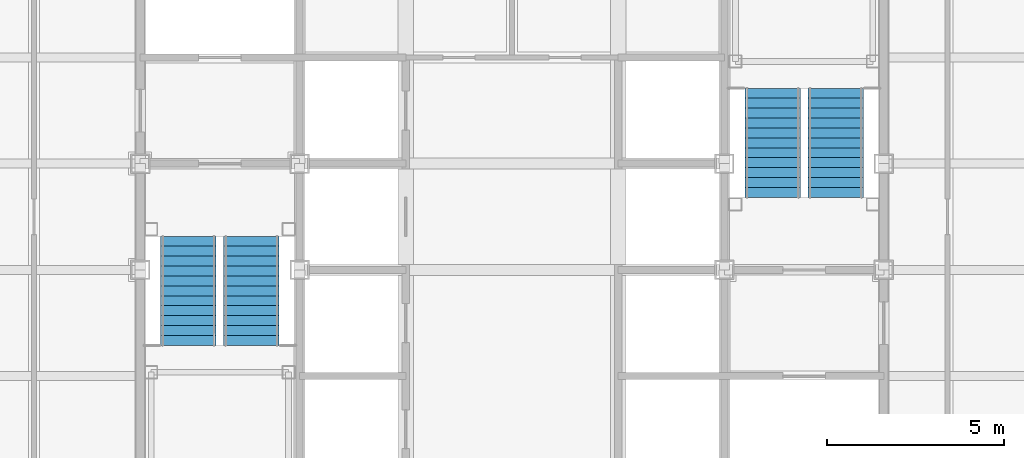
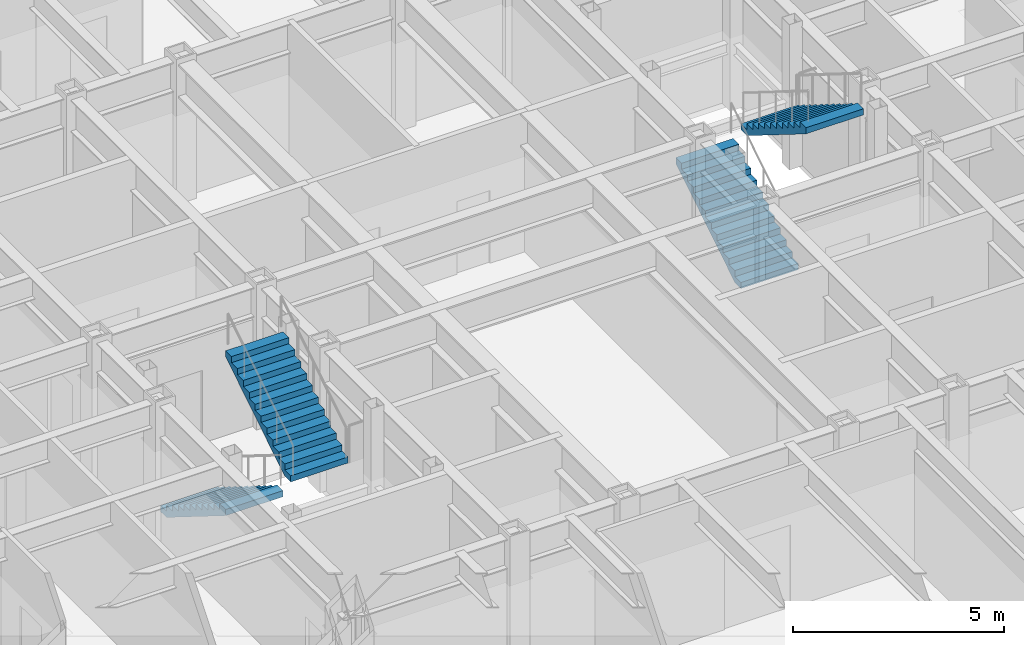
# One storey, part 14 of 16: 4 stair flights, 2 elements without a shape of their own.
"""IFC4 building model written with IfcOpenShell, lengths in metres."""

from ifc_helpers import new_model, si_unit, direction, frame, origin, place, context, subcontext, project, spatial, faceted_brep, material, type_object, element, aggregate, save


model = new_model("IFC4")

# Units and contexts
model_context = context("Model", 3, precision=1e-05, world=origin(), true_north=direction((0.0, 1.0)))
body_context = subcontext(model_context, "Body", "Model", "MODEL_VIEW")
ifc_project = project(units=[si_unit("LENGTHUNIT", "METRE"), si_unit("AREAUNIT", "SQUARE_METRE"), si_unit("VOLUMEUNIT", "CUBIC_METRE"), si_unit("PLANEANGLEUNIT", "RADIAN"), si_unit("MASSUNIT", "GRAM", prefix="KILO")], contexts=[model_context])

# Site, building, storey
site_placement = place(None, origin())
site = spatial("IfcSite", under=ifc_project, at=site_placement, CompositionType="ELEMENT")
building_placement = place(site_placement, origin())
building = spatial("IfcBuilding", under=site, at=building_placement, Name="Chuquiago Exchange Tower", CompositionType="ELEMENT")
storey_placement = place(building_placement, frame((0.0, 0.0, 230.699951171875)))
storey = spatial("IfcBuildingStorey", under=building, at=storey_placement, Name="L51", CompositionType="ELEMENT", Elevation=230.699951171875)

# Stair, stair flights
ifc_material_1 = material(Name="Concrete C30/37, precast", Category="concrete")
stair_type_1 = type_object("IfcStairType", Name="ST1 half-turn stair 4200", PredefinedType="HALF_TURN_STAIR", material=ifc_material_1)
stair_1_placement = place(storey_placement, origin())
stair_1 = element("IfcStair", 1, at=stair_1_placement, inside=storey, type_object=stair_type_1, Name="Stair ST1 L51", PredefinedType="HALF_TURN_STAIR")
ifc_material_2 = material(Name="Concrete C30/37, precast", Category="concrete")
stair_flight_type = type_object("IfcStairFlightType", Name="ST-F flight 1570 for 4200 storey", PredefinedType="STRAIGHT", material=ifc_material_2)
stair_flight_1_placement = place(storey_placement, frame((13.360107421875, 21.949951171875, 0.0), z_axis=(0.0, 0.0, 1.0), x_axis=(0.0, -1.0, 0.0)))
stair_flight_1 = element("IfcStairFlight", 2, at=stair_flight_1_placement, type_object=stair_flight_type, Name="ST1 flight 1", NumberOfRisers=12, NumberOfTreads=11, PredefinedType="STRAIGHT", RiserHeight=0.175, TreadLength=0.28, context=body_context, shape_type="Brep", body=[
    faceted_brep([(0.0, 0.78515625, 0.0), (0.0, 0.78515625, 0.175048828125), (0.280029296875, 0.78515625, 0.175048828125), (0.280029296875, 0.78515625, 0.35009765625), (0.56005859375, 0.78515625, 0.35009765625), (0.56005859375, 0.78515625, 0.52490234375), (0.840087890625, 0.78515625, 0.52490234375), (0.840087890625, 0.78515625, 0.699951171875), (1.1201171875, 0.78515625, 0.699951171875), (1.1201171875, 0.78515625, 0.875), (1.39990234375, 0.78515625, 0.875), (1.39990234375, 0.78515625, 1.050048828125), (1.679931640625, 0.78515625, 1.050048828125), (1.679931640625, 0.78515625, 1.22509765625), (1.9599609375, 0.78515625, 1.22509765625), (1.9599609375, 0.78515625, 1.39990234375), (2.239990234375, 0.78515625, 1.39990234375), (2.239990234375, 0.78515625, 1.574951171875), (2.52001953125, 0.78515625, 1.574951171875), (2.52001953125, 0.78515625, 1.75), (2.800048828125, 0.78515625, 1.75), (2.800048828125, 0.78515625, 1.925048828125), (3.080078125, 0.78515625, 1.925048828125), (3.080078125, 0.78515625, 1.748291015625), (0.28271484375, 0.78515625, 0.0), (0.28271484375, -0.78515625, 0.0), (3.080078125, -0.78515625, 1.748291015625), (3.080078125, -0.78515625, 1.925048828125), (2.800048828125, -0.78515625, 1.925048828125), (2.800048828125, -0.78515625, 1.75), (2.52001953125, -0.78515625, 1.75), (2.52001953125, -0.78515625, 1.574951171875), (2.239990234375, -0.78515625, 1.574951171875), (2.239990234375, -0.78515625, 1.39990234375), (1.9599609375, -0.78515625, 1.39990234375), (1.9599609375, -0.78515625, 1.22509765625), (1.679931640625, -0.78515625, 1.22509765625), (1.679931640625, -0.78515625, 1.050048828125), (1.39990234375, -0.78515625, 1.050048828125), (1.39990234375, -0.78515625, 0.875), (1.1201171875, -0.78515625, 0.875), (1.1201171875, -0.78515625, 0.699951171875), (0.840087890625, -0.78515625, 0.699951171875), (0.840087890625, -0.78515625, 0.52490234375), (0.56005859375, -0.78515625, 0.52490234375), (0.56005859375, -0.78515625, 0.35009765625), (0.280029296875, -0.78515625, 0.35009765625), (0.280029296875, -0.78515625, 0.175048828125), (0.0, -0.78515625, 0.175048828125), (0.0, -0.78515625, 0.0), (0.0, 0.392578125, 0.0), (0.0, 0.392578125, 0.175048828125), (0.0, 0.0, 0.0), (0.0, 0.0, 0.175048828125), (0.0, -0.392578125, 0.0), (0.0, -0.392578125, 0.175048828125), (0.280029296875, 0.392578125, 0.175048828125), (0.280029296875, 0.0, 0.175048828125), (0.280029296875, -0.392578125, 0.175048828125), (0.280029296875, 0.392578125, 0.35009765625), (0.280029296875, 0.0, 0.35009765625), (0.280029296875, -0.392578125, 0.35009765625), (0.56005859375, 0.392578125, 0.35009765625), (0.56005859375, 0.0, 0.35009765625), (0.56005859375, -0.392578125, 0.35009765625), (0.56005859375, 0.392578125, 0.52490234375), (0.56005859375, 0.0, 0.52490234375), (0.56005859375, -0.392578125, 0.52490234375), (0.840087890625, 0.392578125, 0.52490234375), (0.840087890625, 0.0, 0.52490234375), (0.840087890625, -0.392578125, 0.52490234375), (0.840087890625, 0.392578125, 0.699951171875), (0.840087890625, 0.0, 0.699951171875), (0.840087890625, -0.392578125, 0.699951171875), (1.1201171875, 0.392578125, 0.699951171875), (1.1201171875, 0.0, 0.699951171875), (1.1201171875, -0.392578125, 0.699951171875), (1.1201171875, 0.392578125, 0.875), (1.1201171875, 0.0, 0.875), (1.1201171875, -0.392578125, 0.875), (1.39990234375, 0.392578125, 0.875), (1.39990234375, 0.0, 0.875), (1.39990234375, -0.392578125, 0.875), (1.39990234375, 0.392578125, 1.050048828125), (1.39990234375, 0.0, 1.050048828125), (1.39990234375, -0.392578125, 1.050048828125), (1.679931640625, 0.392578125, 1.050048828125), (1.679931640625, 0.0, 1.050048828125), (1.679931640625, -0.392578125, 1.050048828125), (1.679931640625, 0.392578125, 1.22509765625), (1.679931640625, 0.0, 1.22509765625), (1.679931640625, -0.392578125, 1.22509765625), (1.9599609375, 0.392578125, 1.22509765625), (1.9599609375, 0.0, 1.22509765625), (1.9599609375, -0.392578125, 1.22509765625), (1.9599609375, 0.392578125, 1.39990234375), (1.9599609375, 0.0, 1.39990234375), (1.9599609375, -0.392578125, 1.39990234375), (2.239990234375, 0.392578125, 1.39990234375), (2.239990234375, 0.0, 1.39990234375), (2.239990234375, -0.392578125, 1.39990234375), (2.239990234375, 0.392578125, 1.574951171875), (2.239990234375, 0.0, 1.574951171875), (2.239990234375, -0.392578125, 1.574951171875), (2.52001953125, 0.392578125, 1.574951171875), (2.52001953125, 0.0, 1.574951171875), (2.52001953125, -0.392578125, 1.574951171875), (2.52001953125, 0.392578125, 1.75), (2.52001953125, 0.0, 1.75), (2.52001953125, -0.392578125, 1.75), (2.800048828125, 0.392578125, 1.75), (2.800048828125, 0.0, 1.75), (2.800048828125, -0.392578125, 1.75), (2.800048828125, 0.392578125, 1.925048828125), (2.800048828125, 0.0, 1.925048828125), (2.800048828125, -0.392578125, 1.925048828125), (3.080078125, 0.392578125, 1.925048828125), (3.080078125, 0.0, 1.925048828125), (3.080078125, -0.392578125, 1.925048828125), (3.080078125, 0.392578125, 1.748291015625), (3.080078125, 0.0, 1.748291015625), (3.080078125, -0.392578125, 1.748291015625), (0.28271484375, 0.392578125, 0.0), (0.28271484375, 0.0, 0.0), (0.28271484375, -0.392578125, 0.0)], [[[0, 1, 2, 3, 4, 5, 6, 7, 8, 9, 10, 11, 12, 13, 14, 15, 16, 17, 18, 19, 20, 21, 22, 23, 24]], [[25, 26, 27, 28, 29, 30, 31, 32, 33, 34, 35, 36, 37, 38, 39, 40, 41, 42, 43, 44, 45, 46, 47, 48, 49]], [[1, 0, 50, 51]], [[51, 50, 52, 53]], [[53, 52, 54, 55]], [[55, 54, 49, 48]], [[2, 1, 51, 56]], [[56, 51, 53, 57]], [[57, 53, 55, 58]], [[58, 55, 48, 47]], [[3, 2, 56, 59]], [[59, 56, 57, 60]], [[60, 57, 58, 61]], [[61, 58, 47, 46]], [[4, 3, 59, 62]], [[62, 59, 60, 63]], [[63, 60, 61, 64]], [[64, 61, 46, 45]], [[5, 4, 62, 65]], [[65, 62, 63, 66]], [[66, 63, 64, 67]], [[67, 64, 45, 44]], [[6, 5, 65, 68]], [[68, 65, 66, 69]], [[69, 66, 67, 70]], [[70, 67, 44, 43]], [[7, 6, 68, 71]], [[71, 68, 69, 72]], [[72, 69, 70, 73]], [[73, 70, 43, 42]], [[8, 7, 71, 74]], [[74, 71, 72, 75]], [[75, 72, 73, 76]], [[76, 73, 42, 41]], [[9, 8, 74, 77]], [[77, 74, 75, 78]], [[78, 75, 76, 79]], [[79, 76, 41, 40]], [[10, 9, 77, 80]], [[80, 77, 78, 81]], [[81, 78, 79, 82]], [[82, 79, 40, 39]], [[11, 10, 80, 83]], [[83, 80, 81, 84]], [[84, 81, 82, 85]], [[85, 82, 39, 38]], [[12, 11, 83, 86]], [[86, 83, 84, 87]], [[87, 84, 85, 88]], [[88, 85, 38, 37]], [[13, 12, 86, 89]], [[89, 86, 87, 90]], [[90, 87, 88, 91]], [[91, 88, 37, 36]], [[14, 13, 89, 92]], [[92, 89, 90, 93]], [[93, 90, 91, 94]], [[94, 91, 36, 35]], [[15, 14, 92, 95]], [[95, 92, 93, 96]], [[96, 93, 94, 97]], [[97, 94, 35, 34]], [[16, 15, 95, 98]], [[98, 95, 96, 99]], [[99, 96, 97, 100]], [[100, 97, 34, 33]], [[17, 16, 98, 101]], [[101, 98, 99, 102]], [[102, 99, 100, 103]], [[103, 100, 33, 32]], [[18, 17, 101, 104]], [[104, 101, 102, 105]], [[105, 102, 103, 106]], [[106, 103, 32, 31]], [[19, 18, 104, 107]], [[107, 104, 105, 108]], [[108, 105, 106, 109]], [[109, 106, 31, 30]], [[20, 19, 107, 110]], [[110, 107, 108, 111]], [[111, 108, 109, 112]], [[112, 109, 30, 29]], [[21, 20, 110, 113]], [[113, 110, 111, 114]], [[114, 111, 112, 115]], [[115, 112, 29, 28]], [[22, 21, 113, 116]], [[116, 113, 114, 117]], [[117, 114, 115, 118]], [[118, 115, 28, 27]], [[23, 22, 116, 119]], [[119, 116, 117, 120]], [[120, 117, 118, 121]], [[121, 118, 27, 26]], [[24, 23, 119, 122]], [[122, 119, 120, 123]], [[123, 120, 121, 124]], [[124, 121, 26, 25]], [[0, 24, 122, 50]], [[50, 122, 123, 52]], [[52, 123, 124, 54]], [[54, 124, 25, 49]]]),
])
stair_flight_2_placement = place(storey_placement, frame((15.139892578125, 18.8701171875, 2.10009765625), z_axis=(0.0, 0.0, 1.0), x_axis=(0.0, 1.0, 0.0)))
stair_flight_2 = element("IfcStairFlight", 3, at=stair_flight_2_placement, type_object=stair_flight_type, Name="ST1 flight 2", NumberOfRisers=12, NumberOfTreads=11, PredefinedType="STRAIGHT", RiserHeight=0.175, TreadLength=0.28, context=body_context, shape_type="Brep", body=[
    faceted_brep([(0.0, 0.78515625, 0.0), (0.0, 0.78515625, 0.175048828125), (0.280029296875, 0.78515625, 0.175048828125), (0.280029296875, 0.78515625, 0.35009765625), (0.56005859375, 0.78515625, 0.35009765625), (0.56005859375, 0.78515625, 0.52490234375), (0.840087890625, 0.78515625, 0.52490234375), (0.840087890625, 0.78515625, 0.699951171875), (1.1201171875, 0.78515625, 0.699951171875), (1.1201171875, 0.78515625, 0.875), (1.39990234375, 0.78515625, 0.875), (1.39990234375, 0.78515625, 1.050048828125), (1.679931640625, 0.78515625, 1.050048828125), (1.679931640625, 0.78515625, 1.22509765625), (1.9599609375, 0.78515625, 1.22509765625), (1.9599609375, 0.78515625, 1.39990234375), (2.239990234375, 0.78515625, 1.39990234375), (2.239990234375, 0.78515625, 1.574951171875), (2.52001953125, 0.78515625, 1.574951171875), (2.52001953125, 0.78515625, 1.75), (2.800048828125, 0.78515625, 1.75), (2.800048828125, 0.78515625, 1.925048828125), (3.080078125, 0.78515625, 1.925048828125), (3.080078125, 0.78515625, 1.748291015625), (0.28271484375, 0.78515625, 0.0), (0.28271484375, -0.78515625, 0.0), (3.080078125, -0.78515625, 1.748291015625), (3.080078125, -0.78515625, 1.925048828125), (2.800048828125, -0.78515625, 1.925048828125), (2.800048828125, -0.78515625, 1.75), (2.52001953125, -0.78515625, 1.75), (2.52001953125, -0.78515625, 1.574951171875), (2.239990234375, -0.78515625, 1.574951171875), (2.239990234375, -0.78515625, 1.39990234375), (1.9599609375, -0.78515625, 1.39990234375), (1.9599609375, -0.78515625, 1.22509765625), (1.679931640625, -0.78515625, 1.22509765625), (1.679931640625, -0.78515625, 1.050048828125), (1.39990234375, -0.78515625, 1.050048828125), (1.39990234375, -0.78515625, 0.875), (1.1201171875, -0.78515625, 0.875), (1.1201171875, -0.78515625, 0.699951171875), (0.840087890625, -0.78515625, 0.699951171875), (0.840087890625, -0.78515625, 0.52490234375), (0.56005859375, -0.78515625, 0.52490234375), (0.56005859375, -0.78515625, 0.35009765625), (0.280029296875, -0.78515625, 0.35009765625), (0.280029296875, -0.78515625, 0.175048828125), (0.0, -0.78515625, 0.175048828125), (0.0, -0.78515625, 0.0), (0.0, 0.392578125, 0.0), (0.0, 0.392578125, 0.175048828125), (0.0, 0.0, 0.0), (0.0, 0.0, 0.175048828125), (0.0, -0.392578125, 0.0), (0.0, -0.392578125, 0.175048828125), (0.280029296875, 0.392578125, 0.175048828125), (0.280029296875, 0.0, 0.175048828125), (0.280029296875, -0.392578125, 0.175048828125), (0.280029296875, 0.392578125, 0.35009765625), (0.280029296875, 0.0, 0.35009765625), (0.280029296875, -0.392578125, 0.35009765625), (0.56005859375, 0.392578125, 0.35009765625), (0.56005859375, 0.0, 0.35009765625), (0.56005859375, -0.392578125, 0.35009765625), (0.56005859375, 0.392578125, 0.52490234375), (0.56005859375, 0.0, 0.52490234375), (0.56005859375, -0.392578125, 0.52490234375), (0.840087890625, 0.392578125, 0.52490234375), (0.840087890625, 0.0, 0.52490234375), (0.840087890625, -0.392578125, 0.52490234375), (0.840087890625, 0.392578125, 0.699951171875), (0.840087890625, 0.0, 0.699951171875), (0.840087890625, -0.392578125, 0.699951171875), (1.1201171875, 0.392578125, 0.699951171875), (1.1201171875, 0.0, 0.699951171875), (1.1201171875, -0.392578125, 0.699951171875), (1.1201171875, 0.392578125, 0.875), (1.1201171875, 0.0, 0.875), (1.1201171875, -0.392578125, 0.875), (1.39990234375, 0.392578125, 0.875), (1.39990234375, 0.0, 0.875), (1.39990234375, -0.392578125, 0.875), (1.39990234375, 0.392578125, 1.050048828125), (1.39990234375, 0.0, 1.050048828125), (1.39990234375, -0.392578125, 1.050048828125), (1.679931640625, 0.392578125, 1.050048828125), (1.679931640625, 0.0, 1.050048828125), (1.679931640625, -0.392578125, 1.050048828125), (1.679931640625, 0.392578125, 1.22509765625), (1.679931640625, 0.0, 1.22509765625), (1.679931640625, -0.392578125, 1.22509765625), (1.9599609375, 0.392578125, 1.22509765625), (1.9599609375, 0.0, 1.22509765625), (1.9599609375, -0.392578125, 1.22509765625), (1.9599609375, 0.392578125, 1.39990234375), (1.9599609375, 0.0, 1.39990234375), (1.9599609375, -0.392578125, 1.39990234375), (2.239990234375, 0.392578125, 1.39990234375), (2.239990234375, 0.0, 1.39990234375), (2.239990234375, -0.392578125, 1.39990234375), (2.239990234375, 0.392578125, 1.574951171875), (2.239990234375, 0.0, 1.574951171875), (2.239990234375, -0.392578125, 1.574951171875), (2.52001953125, 0.392578125, 1.574951171875), (2.52001953125, 0.0, 1.574951171875), (2.52001953125, -0.392578125, 1.574951171875), (2.52001953125, 0.392578125, 1.75), (2.52001953125, 0.0, 1.75), (2.52001953125, -0.392578125, 1.75), (2.800048828125, 0.392578125, 1.75), (2.800048828125, 0.0, 1.75), (2.800048828125, -0.392578125, 1.75), (2.800048828125, 0.392578125, 1.925048828125), (2.800048828125, 0.0, 1.925048828125), (2.800048828125, -0.392578125, 1.925048828125), (3.080078125, 0.392578125, 1.925048828125), (3.080078125, 0.0, 1.925048828125), (3.080078125, -0.392578125, 1.925048828125), (3.080078125, 0.392578125, 1.748291015625), (3.080078125, 0.0, 1.748291015625), (3.080078125, -0.392578125, 1.748291015625), (0.28271484375, 0.392578125, 0.0), (0.28271484375, 0.0, 0.0), (0.28271484375, -0.392578125, 0.0)], [[[0, 1, 2, 3, 4, 5, 6, 7, 8, 9, 10, 11, 12, 13, 14, 15, 16, 17, 18, 19, 20, 21, 22, 23, 24]], [[25, 26, 27, 28, 29, 30, 31, 32, 33, 34, 35, 36, 37, 38, 39, 40, 41, 42, 43, 44, 45, 46, 47, 48, 49]], [[1, 0, 50, 51]], [[51, 50, 52, 53]], [[53, 52, 54, 55]], [[55, 54, 49, 48]], [[2, 1, 51, 56]], [[56, 51, 53, 57]], [[57, 53, 55, 58]], [[58, 55, 48, 47]], [[3, 2, 56, 59]], [[59, 56, 57, 60]], [[60, 57, 58, 61]], [[61, 58, 47, 46]], [[4, 3, 59, 62]], [[62, 59, 60, 63]], [[63, 60, 61, 64]], [[64, 61, 46, 45]], [[5, 4, 62, 65]], [[65, 62, 63, 66]], [[66, 63, 64, 67]], [[67, 64, 45, 44]], [[6, 5, 65, 68]], [[68, 65, 66, 69]], [[69, 66, 67, 70]], [[70, 67, 44, 43]], [[7, 6, 68, 71]], [[71, 68, 69, 72]], [[72, 69, 70, 73]], [[73, 70, 43, 42]], [[8, 7, 71, 74]], [[74, 71, 72, 75]], [[75, 72, 73, 76]], [[76, 73, 42, 41]], [[9, 8, 74, 77]], [[77, 74, 75, 78]], [[78, 75, 76, 79]], [[79, 76, 41, 40]], [[10, 9, 77, 80]], [[80, 77, 78, 81]], [[81, 78, 79, 82]], [[82, 79, 40, 39]], [[11, 10, 80, 83]], [[83, 80, 81, 84]], [[84, 81, 82, 85]], [[85, 82, 39, 38]], [[12, 11, 83, 86]], [[86, 83, 84, 87]], [[87, 84, 85, 88]], [[88, 85, 38, 37]], [[13, 12, 86, 89]], [[89, 86, 87, 90]], [[90, 87, 88, 91]], [[91, 88, 37, 36]], [[14, 13, 89, 92]], [[92, 89, 90, 93]], [[93, 90, 91, 94]], [[94, 91, 36, 35]], [[15, 14, 92, 95]], [[95, 92, 93, 96]], [[96, 93, 94, 97]], [[97, 94, 35, 34]], [[16, 15, 95, 98]], [[98, 95, 96, 99]], [[99, 96, 97, 100]], [[100, 97, 34, 33]], [[17, 16, 98, 101]], [[101, 98, 99, 102]], [[102, 99, 100, 103]], [[103, 100, 33, 32]], [[18, 17, 101, 104]], [[104, 101, 102, 105]], [[105, 102, 103, 106]], [[106, 103, 32, 31]], [[19, 18, 104, 107]], [[107, 104, 105, 108]], [[108, 105, 106, 109]], [[109, 106, 31, 30]], [[20, 19, 107, 110]], [[110, 107, 108, 111]], [[111, 108, 109, 112]], [[112, 109, 30, 29]], [[21, 20, 110, 113]], [[113, 110, 111, 114]], [[114, 111, 112, 115]], [[115, 112, 29, 28]], [[22, 21, 113, 116]], [[116, 113, 114, 117]], [[117, 114, 115, 118]], [[118, 115, 28, 27]], [[23, 22, 116, 119]], [[119, 116, 117, 120]], [[120, 117, 118, 121]], [[121, 118, 27, 26]], [[24, 23, 119, 122]], [[122, 119, 120, 123]], [[123, 120, 121, 124]], [[124, 121, 26, 25]], [[0, 24, 122, 50]], [[50, 122, 123, 52]], [[52, 123, 124, 54]], [[54, 124, 25, 49]]]),
])
aggregate(stair_1, [stair_flight_1, stair_flight_2])

ifc_material_3 = material(Name="Concrete C30/37, precast", Category="concrete")
stair_type_2 = type_object("IfcStairType", Name="ST2 half-turn stair 4200", PredefinedType="HALF_TURN_STAIR", material=ifc_material_3)
stair_2_placement = place(storey_placement, origin())
stair_2 = element("IfcStair", 4, at=stair_2_placement, inside=storey, type_object=stair_type_2, Name="Stair ST2 L51", PredefinedType="HALF_TURN_STAIR")
stair_flight_3_placement = place(storey_placement, frame((29.860107421875, 23.050048828125, 0.0), z_axis=(0.0, 0.0, 1.0), x_axis=(0.0, 1.0, 0.0)))
stair_flight_3 = element("IfcStairFlight", 5, at=stair_flight_3_placement, type_object=stair_flight_type, Name="ST2 flight 1", NumberOfRisers=12, NumberOfTreads=11, PredefinedType="STRAIGHT", RiserHeight=0.175, TreadLength=0.28, context=body_context, shape_type="Brep", body=[
    faceted_brep([(0.0, 0.78515625, 0.0), (0.0, 0.78515625, 0.175048828125), (0.280029296875, 0.78515625, 0.175048828125), (0.280029296875, 0.78515625, 0.35009765625), (0.56005859375, 0.78515625, 0.35009765625), (0.56005859375, 0.78515625, 0.52490234375), (0.840087890625, 0.78515625, 0.52490234375), (0.840087890625, 0.78515625, 0.699951171875), (1.1201171875, 0.78515625, 0.699951171875), (1.1201171875, 0.78515625, 0.875), (1.39990234375, 0.78515625, 0.875), (1.39990234375, 0.78515625, 1.050048828125), (1.679931640625, 0.78515625, 1.050048828125), (1.679931640625, 0.78515625, 1.22509765625), (1.9599609375, 0.78515625, 1.22509765625), (1.9599609375, 0.78515625, 1.39990234375), (2.239990234375, 0.78515625, 1.39990234375), (2.239990234375, 0.78515625, 1.574951171875), (2.52001953125, 0.78515625, 1.574951171875), (2.52001953125, 0.78515625, 1.75), (2.800048828125, 0.78515625, 1.75), (2.800048828125, 0.78515625, 1.925048828125), (3.080078125, 0.78515625, 1.925048828125), (3.080078125, 0.78515625, 1.748291015625), (0.28271484375, 0.78515625, 0.0), (0.28271484375, -0.78515625, 0.0), (3.080078125, -0.78515625, 1.748291015625), (3.080078125, -0.78515625, 1.925048828125), (2.800048828125, -0.78515625, 1.925048828125), (2.800048828125, -0.78515625, 1.75), (2.52001953125, -0.78515625, 1.75), (2.52001953125, -0.78515625, 1.574951171875), (2.239990234375, -0.78515625, 1.574951171875), (2.239990234375, -0.78515625, 1.39990234375), (1.9599609375, -0.78515625, 1.39990234375), (1.9599609375, -0.78515625, 1.22509765625), (1.679931640625, -0.78515625, 1.22509765625), (1.679931640625, -0.78515625, 1.050048828125), (1.39990234375, -0.78515625, 1.050048828125), (1.39990234375, -0.78515625, 0.875), (1.1201171875, -0.78515625, 0.875), (1.1201171875, -0.78515625, 0.699951171875), (0.840087890625, -0.78515625, 0.699951171875), (0.840087890625, -0.78515625, 0.52490234375), (0.56005859375, -0.78515625, 0.52490234375), (0.56005859375, -0.78515625, 0.35009765625), (0.280029296875, -0.78515625, 0.35009765625), (0.280029296875, -0.78515625, 0.175048828125), (0.0, -0.78515625, 0.175048828125), (0.0, -0.78515625, 0.0), (0.0, 0.392578125, 0.0), (0.0, 0.392578125, 0.175048828125), (0.0, 0.0, 0.0), (0.0, 0.0, 0.175048828125), (0.0, -0.392578125, 0.0), (0.0, -0.392578125, 0.175048828125), (0.280029296875, 0.392578125, 0.175048828125), (0.280029296875, 0.0, 0.175048828125), (0.280029296875, -0.392578125, 0.175048828125), (0.280029296875, 0.392578125, 0.35009765625), (0.280029296875, 0.0, 0.35009765625), (0.280029296875, -0.392578125, 0.35009765625), (0.56005859375, 0.392578125, 0.35009765625), (0.56005859375, 0.0, 0.35009765625), (0.56005859375, -0.392578125, 0.35009765625), (0.56005859375, 0.392578125, 0.52490234375), (0.56005859375, 0.0, 0.52490234375), (0.56005859375, -0.392578125, 0.52490234375), (0.840087890625, 0.392578125, 0.52490234375), (0.840087890625, 0.0, 0.52490234375), (0.840087890625, -0.392578125, 0.52490234375), (0.840087890625, 0.392578125, 0.699951171875), (0.840087890625, 0.0, 0.699951171875), (0.840087890625, -0.392578125, 0.699951171875), (1.1201171875, 0.392578125, 0.699951171875), (1.1201171875, 0.0, 0.699951171875), (1.1201171875, -0.392578125, 0.699951171875), (1.1201171875, 0.392578125, 0.875), (1.1201171875, 0.0, 0.875), (1.1201171875, -0.392578125, 0.875), (1.39990234375, 0.392578125, 0.875), (1.39990234375, 0.0, 0.875), (1.39990234375, -0.392578125, 0.875), (1.39990234375, 0.392578125, 1.050048828125), (1.39990234375, 0.0, 1.050048828125), (1.39990234375, -0.392578125, 1.050048828125), (1.679931640625, 0.392578125, 1.050048828125), (1.679931640625, 0.0, 1.050048828125), (1.679931640625, -0.392578125, 1.050048828125), (1.679931640625, 0.392578125, 1.22509765625), (1.679931640625, 0.0, 1.22509765625), (1.679931640625, -0.392578125, 1.22509765625), (1.9599609375, 0.392578125, 1.22509765625), (1.9599609375, 0.0, 1.22509765625), (1.9599609375, -0.392578125, 1.22509765625), (1.9599609375, 0.392578125, 1.39990234375), (1.9599609375, 0.0, 1.39990234375), (1.9599609375, -0.392578125, 1.39990234375), (2.239990234375, 0.392578125, 1.39990234375), (2.239990234375, 0.0, 1.39990234375), (2.239990234375, -0.392578125, 1.39990234375), (2.239990234375, 0.392578125, 1.574951171875), (2.239990234375, 0.0, 1.574951171875), (2.239990234375, -0.392578125, 1.574951171875), (2.52001953125, 0.392578125, 1.574951171875), (2.52001953125, 0.0, 1.574951171875), (2.52001953125, -0.392578125, 1.574951171875), (2.52001953125, 0.392578125, 1.75), (2.52001953125, 0.0, 1.75), (2.52001953125, -0.392578125, 1.75), (2.800048828125, 0.392578125, 1.75), (2.800048828125, 0.0, 1.75), (2.800048828125, -0.392578125, 1.75), (2.800048828125, 0.392578125, 1.925048828125), (2.800048828125, 0.0, 1.925048828125), (2.800048828125, -0.392578125, 1.925048828125), (3.080078125, 0.392578125, 1.925048828125), (3.080078125, 0.0, 1.925048828125), (3.080078125, -0.392578125, 1.925048828125), (3.080078125, 0.392578125, 1.748291015625), (3.080078125, 0.0, 1.748291015625), (3.080078125, -0.392578125, 1.748291015625), (0.28271484375, 0.392578125, 0.0), (0.28271484375, 0.0, 0.0), (0.28271484375, -0.392578125, 0.0)], [[[0, 1, 2, 3, 4, 5, 6, 7, 8, 9, 10, 11, 12, 13, 14, 15, 16, 17, 18, 19, 20, 21, 22, 23, 24]], [[25, 26, 27, 28, 29, 30, 31, 32, 33, 34, 35, 36, 37, 38, 39, 40, 41, 42, 43, 44, 45, 46, 47, 48, 49]], [[1, 0, 50, 51]], [[51, 50, 52, 53]], [[53, 52, 54, 55]], [[55, 54, 49, 48]], [[2, 1, 51, 56]], [[56, 51, 53, 57]], [[57, 53, 55, 58]], [[58, 55, 48, 47]], [[3, 2, 56, 59]], [[59, 56, 57, 60]], [[60, 57, 58, 61]], [[61, 58, 47, 46]], [[4, 3, 59, 62]], [[62, 59, 60, 63]], [[63, 60, 61, 64]], [[64, 61, 46, 45]], [[5, 4, 62, 65]], [[65, 62, 63, 66]], [[66, 63, 64, 67]], [[67, 64, 45, 44]], [[6, 5, 65, 68]], [[68, 65, 66, 69]], [[69, 66, 67, 70]], [[70, 67, 44, 43]], [[7, 6, 68, 71]], [[71, 68, 69, 72]], [[72, 69, 70, 73]], [[73, 70, 43, 42]], [[8, 7, 71, 74]], [[74, 71, 72, 75]], [[75, 72, 73, 76]], [[76, 73, 42, 41]], [[9, 8, 74, 77]], [[77, 74, 75, 78]], [[78, 75, 76, 79]], [[79, 76, 41, 40]], [[10, 9, 77, 80]], [[80, 77, 78, 81]], [[81, 78, 79, 82]], [[82, 79, 40, 39]], [[11, 10, 80, 83]], [[83, 80, 81, 84]], [[84, 81, 82, 85]], [[85, 82, 39, 38]], [[12, 11, 83, 86]], [[86, 83, 84, 87]], [[87, 84, 85, 88]], [[88, 85, 38, 37]], [[13, 12, 86, 89]], [[89, 86, 87, 90]], [[90, 87, 88, 91]], [[91, 88, 37, 36]], [[14, 13, 89, 92]], [[92, 89, 90, 93]], [[93, 90, 91, 94]], [[94, 91, 36, 35]], [[15, 14, 92, 95]], [[95, 92, 93, 96]], [[96, 93, 94, 97]], [[97, 94, 35, 34]], [[16, 15, 95, 98]], [[98, 95, 96, 99]], [[99, 96, 97, 100]], [[100, 97, 34, 33]], [[17, 16, 98, 101]], [[101, 98, 99, 102]], [[102, 99, 100, 103]], [[103, 100, 33, 32]], [[18, 17, 101, 104]], [[104, 101, 102, 105]], [[105, 102, 103, 106]], [[106, 103, 32, 31]], [[19, 18, 104, 107]], [[107, 104, 105, 108]], [[108, 105, 106, 109]], [[109, 106, 31, 30]], [[20, 19, 107, 110]], [[110, 107, 108, 111]], [[111, 108, 109, 112]], [[112, 109, 30, 29]], [[21, 20, 110, 113]], [[113, 110, 111, 114]], [[114, 111, 112, 115]], [[115, 112, 29, 28]], [[22, 21, 113, 116]], [[116, 113, 114, 117]], [[117, 114, 115, 118]], [[118, 115, 28, 27]], [[23, 22, 116, 119]], [[119, 116, 117, 120]], [[120, 117, 118, 121]], [[121, 118, 27, 26]], [[24, 23, 119, 122]], [[122, 119, 120, 123]], [[123, 120, 121, 124]], [[124, 121, 26, 25]], [[0, 24, 122, 50]], [[50, 122, 123, 52]], [[52, 123, 124, 54]], [[54, 124, 25, 49]]]),
])
stair_flight_4_placement = place(storey_placement, frame((31.639892578125, 26.1298828125, 2.10009765625), z_axis=(0.0, 0.0, 1.0), x_axis=(0.0, -1.0, 0.0)))
stair_flight_4 = element("IfcStairFlight", 6, at=stair_flight_4_placement, type_object=stair_flight_type, Name="ST2 flight 2", NumberOfRisers=12, NumberOfTreads=11, PredefinedType="STRAIGHT", RiserHeight=0.175, TreadLength=0.28, context=body_context, shape_type="Brep", body=[
    faceted_brep([(0.0, 0.78515625, 0.0), (0.0, 0.78515625, 0.175048828125), (0.280029296875, 0.78515625, 0.175048828125), (0.280029296875, 0.78515625, 0.35009765625), (0.56005859375, 0.78515625, 0.35009765625), (0.56005859375, 0.78515625, 0.52490234375), (0.840087890625, 0.78515625, 0.52490234375), (0.840087890625, 0.78515625, 0.699951171875), (1.1201171875, 0.78515625, 0.699951171875), (1.1201171875, 0.78515625, 0.875), (1.39990234375, 0.78515625, 0.875), (1.39990234375, 0.78515625, 1.050048828125), (1.679931640625, 0.78515625, 1.050048828125), (1.679931640625, 0.78515625, 1.22509765625), (1.9599609375, 0.78515625, 1.22509765625), (1.9599609375, 0.78515625, 1.39990234375), (2.239990234375, 0.78515625, 1.39990234375), (2.239990234375, 0.78515625, 1.574951171875), (2.52001953125, 0.78515625, 1.574951171875), (2.52001953125, 0.78515625, 1.75), (2.800048828125, 0.78515625, 1.75), (2.800048828125, 0.78515625, 1.925048828125), (3.080078125, 0.78515625, 1.925048828125), (3.080078125, 0.78515625, 1.748291015625), (0.28271484375, 0.78515625, 0.0), (0.28271484375, -0.78515625, 0.0), (3.080078125, -0.78515625, 1.748291015625), (3.080078125, -0.78515625, 1.925048828125), (2.800048828125, -0.78515625, 1.925048828125), (2.800048828125, -0.78515625, 1.75), (2.52001953125, -0.78515625, 1.75), (2.52001953125, -0.78515625, 1.574951171875), (2.239990234375, -0.78515625, 1.574951171875), (2.239990234375, -0.78515625, 1.39990234375), (1.9599609375, -0.78515625, 1.39990234375), (1.9599609375, -0.78515625, 1.22509765625), (1.679931640625, -0.78515625, 1.22509765625), (1.679931640625, -0.78515625, 1.050048828125), (1.39990234375, -0.78515625, 1.050048828125), (1.39990234375, -0.78515625, 0.875), (1.1201171875, -0.78515625, 0.875), (1.1201171875, -0.78515625, 0.699951171875), (0.840087890625, -0.78515625, 0.699951171875), (0.840087890625, -0.78515625, 0.52490234375), (0.56005859375, -0.78515625, 0.52490234375), (0.56005859375, -0.78515625, 0.35009765625), (0.280029296875, -0.78515625, 0.35009765625), (0.280029296875, -0.78515625, 0.175048828125), (0.0, -0.78515625, 0.175048828125), (0.0, -0.78515625, 0.0), (0.0, 0.392578125, 0.0), (0.0, 0.392578125, 0.175048828125), (0.0, 0.0, 0.0), (0.0, 0.0, 0.175048828125), (0.0, -0.392578125, 0.0), (0.0, -0.392578125, 0.175048828125), (0.280029296875, 0.392578125, 0.175048828125), (0.280029296875, 0.0, 0.175048828125), (0.280029296875, -0.392578125, 0.175048828125), (0.280029296875, 0.392578125, 0.35009765625), (0.280029296875, 0.0, 0.35009765625), (0.280029296875, -0.392578125, 0.35009765625), (0.56005859375, 0.392578125, 0.35009765625), (0.56005859375, 0.0, 0.35009765625), (0.56005859375, -0.392578125, 0.35009765625), (0.56005859375, 0.392578125, 0.52490234375), (0.56005859375, 0.0, 0.52490234375), (0.56005859375, -0.392578125, 0.52490234375), (0.840087890625, 0.392578125, 0.52490234375), (0.840087890625, 0.0, 0.52490234375), (0.840087890625, -0.392578125, 0.52490234375), (0.840087890625, 0.392578125, 0.699951171875), (0.840087890625, 0.0, 0.699951171875), (0.840087890625, -0.392578125, 0.699951171875), (1.1201171875, 0.392578125, 0.699951171875), (1.1201171875, 0.0, 0.699951171875), (1.1201171875, -0.392578125, 0.699951171875), (1.1201171875, 0.392578125, 0.875), (1.1201171875, 0.0, 0.875), (1.1201171875, -0.392578125, 0.875), (1.39990234375, 0.392578125, 0.875), (1.39990234375, 0.0, 0.875), (1.39990234375, -0.392578125, 0.875), (1.39990234375, 0.392578125, 1.050048828125), (1.39990234375, 0.0, 1.050048828125), (1.39990234375, -0.392578125, 1.050048828125), (1.679931640625, 0.392578125, 1.050048828125), (1.679931640625, 0.0, 1.050048828125), (1.679931640625, -0.392578125, 1.050048828125), (1.679931640625, 0.392578125, 1.22509765625), (1.679931640625, 0.0, 1.22509765625), (1.679931640625, -0.392578125, 1.22509765625), (1.9599609375, 0.392578125, 1.22509765625), (1.9599609375, 0.0, 1.22509765625), (1.9599609375, -0.392578125, 1.22509765625), (1.9599609375, 0.392578125, 1.39990234375), (1.9599609375, 0.0, 1.39990234375), (1.9599609375, -0.392578125, 1.39990234375), (2.239990234375, 0.392578125, 1.39990234375), (2.239990234375, 0.0, 1.39990234375), (2.239990234375, -0.392578125, 1.39990234375), (2.239990234375, 0.392578125, 1.574951171875), (2.239990234375, 0.0, 1.574951171875), (2.239990234375, -0.392578125, 1.574951171875), (2.52001953125, 0.392578125, 1.574951171875), (2.52001953125, 0.0, 1.574951171875), (2.52001953125, -0.392578125, 1.574951171875), (2.52001953125, 0.392578125, 1.75), (2.52001953125, 0.0, 1.75), (2.52001953125, -0.392578125, 1.75), (2.800048828125, 0.392578125, 1.75), (2.800048828125, 0.0, 1.75), (2.800048828125, -0.392578125, 1.75), (2.800048828125, 0.392578125, 1.925048828125), (2.800048828125, 0.0, 1.925048828125), (2.800048828125, -0.392578125, 1.925048828125), (3.080078125, 0.392578125, 1.925048828125), (3.080078125, 0.0, 1.925048828125), (3.080078125, -0.392578125, 1.925048828125), (3.080078125, 0.392578125, 1.748291015625), (3.080078125, 0.0, 1.748291015625), (3.080078125, -0.392578125, 1.748291015625), (0.28271484375, 0.392578125, 0.0), (0.28271484375, 0.0, 0.0), (0.28271484375, -0.392578125, 0.0)], [[[0, 1, 2, 3, 4, 5, 6, 7, 8, 9, 10, 11, 12, 13, 14, 15, 16, 17, 18, 19, 20, 21, 22, 23, 24]], [[25, 26, 27, 28, 29, 30, 31, 32, 33, 34, 35, 36, 37, 38, 39, 40, 41, 42, 43, 44, 45, 46, 47, 48, 49]], [[1, 0, 50, 51]], [[51, 50, 52, 53]], [[53, 52, 54, 55]], [[55, 54, 49, 48]], [[2, 1, 51, 56]], [[56, 51, 53, 57]], [[57, 53, 55, 58]], [[58, 55, 48, 47]], [[3, 2, 56, 59]], [[59, 56, 57, 60]], [[60, 57, 58, 61]], [[61, 58, 47, 46]], [[4, 3, 59, 62]], [[62, 59, 60, 63]], [[63, 60, 61, 64]], [[64, 61, 46, 45]], [[5, 4, 62, 65]], [[65, 62, 63, 66]], [[66, 63, 64, 67]], [[67, 64, 45, 44]], [[6, 5, 65, 68]], [[68, 65, 66, 69]], [[69, 66, 67, 70]], [[70, 67, 44, 43]], [[7, 6, 68, 71]], [[71, 68, 69, 72]], [[72, 69, 70, 73]], [[73, 70, 43, 42]], [[8, 7, 71, 74]], [[74, 71, 72, 75]], [[75, 72, 73, 76]], [[76, 73, 42, 41]], [[9, 8, 74, 77]], [[77, 74, 75, 78]], [[78, 75, 76, 79]], [[79, 76, 41, 40]], [[10, 9, 77, 80]], [[80, 77, 78, 81]], [[81, 78, 79, 82]], [[82, 79, 40, 39]], [[11, 10, 80, 83]], [[83, 80, 81, 84]], [[84, 81, 82, 85]], [[85, 82, 39, 38]], [[12, 11, 83, 86]], [[86, 83, 84, 87]], [[87, 84, 85, 88]], [[88, 85, 38, 37]], [[13, 12, 86, 89]], [[89, 86, 87, 90]], [[90, 87, 88, 91]], [[91, 88, 37, 36]], [[14, 13, 89, 92]], [[92, 89, 90, 93]], [[93, 90, 91, 94]], [[94, 91, 36, 35]], [[15, 14, 92, 95]], [[95, 92, 93, 96]], [[96, 93, 94, 97]], [[97, 94, 35, 34]], [[16, 15, 95, 98]], [[98, 95, 96, 99]], [[99, 96, 97, 100]], [[100, 97, 34, 33]], [[17, 16, 98, 101]], [[101, 98, 99, 102]], [[102, 99, 100, 103]], [[103, 100, 33, 32]], [[18, 17, 101, 104]], [[104, 101, 102, 105]], [[105, 102, 103, 106]], [[106, 103, 32, 31]], [[19, 18, 104, 107]], [[107, 104, 105, 108]], [[108, 105, 106, 109]], [[109, 106, 31, 30]], [[20, 19, 107, 110]], [[110, 107, 108, 111]], [[111, 108, 109, 112]], [[112, 109, 30, 29]], [[21, 20, 110, 113]], [[113, 110, 111, 114]], [[114, 111, 112, 115]], [[115, 112, 29, 28]], [[22, 21, 113, 116]], [[116, 113, 114, 117]], [[117, 114, 115, 118]], [[118, 115, 28, 27]], [[23, 22, 116, 119]], [[119, 116, 117, 120]], [[120, 117, 118, 121]], [[121, 118, 27, 26]], [[24, 23, 119, 122]], [[122, 119, 120, 123]], [[123, 120, 121, 124]], [[124, 121, 26, 25]], [[0, 24, 122, 50]], [[50, 122, 123, 52]], [[52, 123, 124, 54]], [[54, 124, 25, 49]]]),
])
aggregate(stair_2, [stair_flight_3, stair_flight_4])

save(model, "model.ifc")
